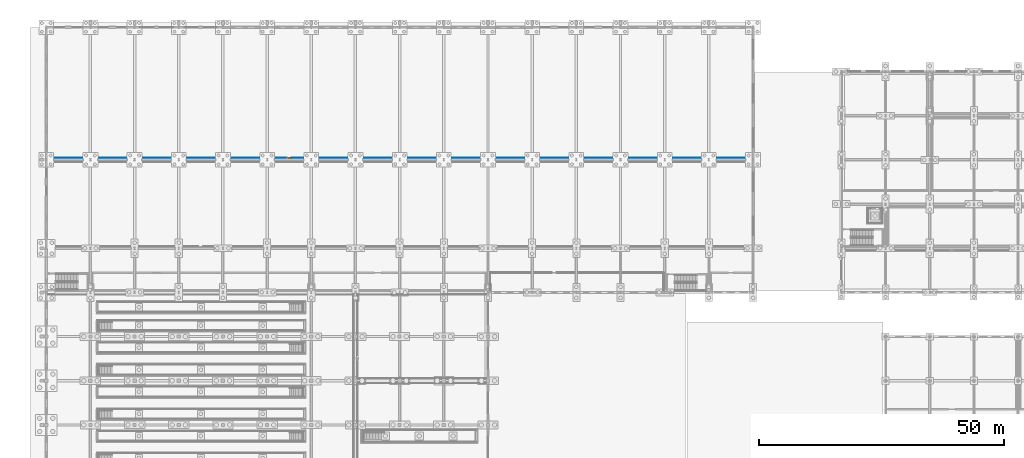
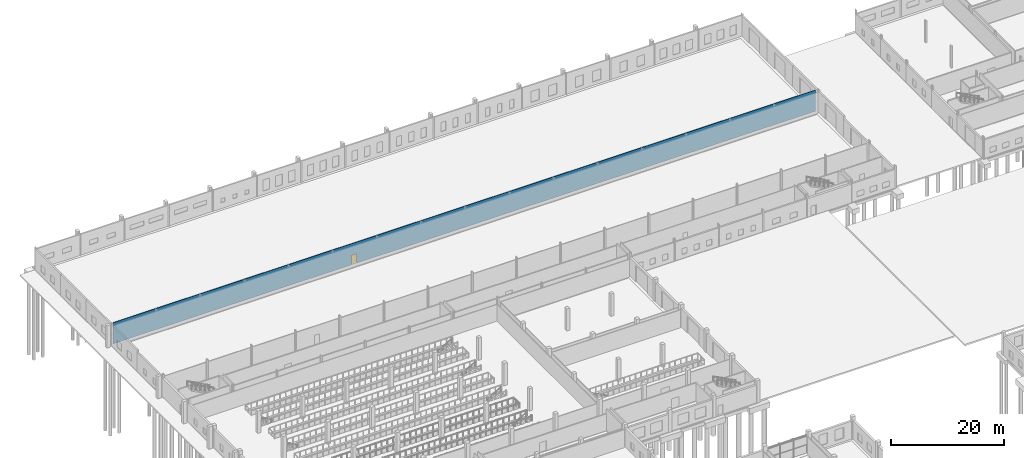
# One storey, part 73 of 112: 1 door, 1 wall, 1 opening.
"""IFC4 building model written with IfcOpenShell, lengths in metres."""

from ifc_helpers import new_model, si_unit, direction, frame, frame_2d, origin, place, context, subcontext, project, spatial, rectangle, extrude, material, layer, layer_set, type_object, element, fill, save


model = new_model("IFC4")

# Units and contexts
model_context = context("Model", 3, precision=1e-05, world=origin(), true_north=direction((0.0, 1.0)))
body_context = subcontext(model_context, "Body", "Model", "MODEL_VIEW")
ifc_project = project(units=[si_unit("LENGTHUNIT", "METRE"), si_unit("AREAUNIT", "SQUARE_METRE"), si_unit("VOLUMEUNIT", "CUBIC_METRE"), si_unit("PLANEANGLEUNIT", "RADIAN"), si_unit("MASSUNIT", "GRAM", prefix="KILO")], contexts=[model_context])

# Site, building, storey
site_placement = place(None, origin())
site = spatial("IfcSite", under=ifc_project, at=site_placement, CompositionType="ELEMENT")
building_placement = place(site_placement, origin())
building = spatial("IfcBuilding", under=site, at=building_placement, Name="Tharagai Park Tramway Depot", CompositionType="ELEMENT")
storey_placement = place(building_placement, origin())
storey = spatial("IfcBuildingStorey", under=building, at=storey_placement, Name="L00", CompositionType="ELEMENT", Elevation=0.0)

# Wall, opening, door
ifc_material_1 = material(Name="Gypsum board", Category="gypsum")
ifc_layer = layer(ifc_material_1, 0.1201171875)
ifc_layer_set = layer_set([ifc_layer], Name="Gypsum board")
wall_type = type_object("IfcWallType", Name="IW-03", PredefinedType="PARTITIONING", material=ifc_layer_set)
wall_placement = place(storey_placement, frame((0.39990234375, 117.39990234375, 0.0), z_axis=(0.0, 0.0, 1.0), x_axis=(1.0, 0.0, 0.0)))
wall = element("IfcWall", 1, at=wall_placement, inside=storey, type_object=wall_type, Name="Depot Stabling Shed North Tracks Partition South", PredefinedType="PARTITIONING", context=body_context, shape_type="SweptSolid", body=[
    extrude(rectangle(XDim=143.2001953125, YDim=0.1201171875, at=frame_2d((71.60009765625, 0.0))), origin(), (0.0, 0.0, 1.0), 4.550048828125),
])
opening_placement = place(wall_placement, frame((48.6298828125, 0.0, 0.0)))
opening = element("IfcOpeningElement", 2, at=opening_placement, cuts=wall, Name="Opening ID-03", PredefinedType="OPENING", context=body_context, shape_type="SweptSolid", body=[
    extrude(rectangle(XDim=0.93994140625, YDim=2.06005859375, at=frame_2d((0.469970703125, 1.030029296875))), frame((0.0, 0.070068359375, 0.0), z_axis=(0.0, -1.0, 0.0), x_axis=(1.0, 0.0, 0.0)), (0.0, 0.0, 1.0), 0.14013671875),
])
ifc_material_2 = material(Name="Pressed timber", Category="wood")
door_type = type_object("IfcDoorType", Name="ID-03", OperationType="NOTDEFINED", PredefinedType="DOOR", material=ifc_material_2)
door_placement = place(opening_placement, frame((0.93994140625, 0.0, 0.0), z_axis=(0.0, 0.0, 1.0), x_axis=(-1.0, 0.0, 0.0)))
door = element("IfcDoor", 3, at=door_placement, inside=storey, type_object=door_type, Name="Depot Stabling Shed North Tracks Door", OperationType="SINGLE_SWING_LEFT", OverallHeight=2.06005859375, OverallWidth=0.93994140625, PredefinedType="DOOR", context=body_context, shape_type="SweptSolid", body=[
    extrude(rectangle(XDim=0.93994140625, YDim=2.06005859375, at=frame_2d((0.469970703125, 1.030029296875))), frame((0.0, 0.02490234375, 0.0), z_axis=(0.0, -1.0, 0.0), x_axis=(1.0, 0.0, 0.0)), (0.0, 0.0, 1.0), 0.050048828125),
])
fill(opening, door)

save(model, "model.ifc")
